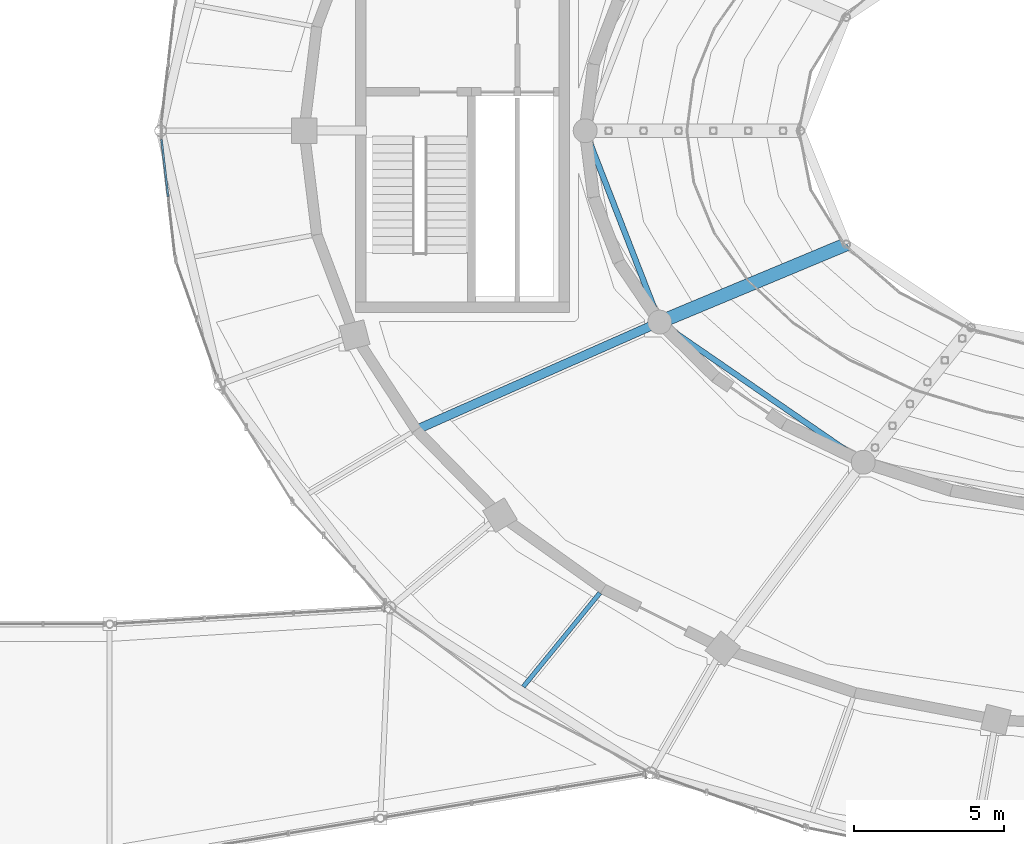
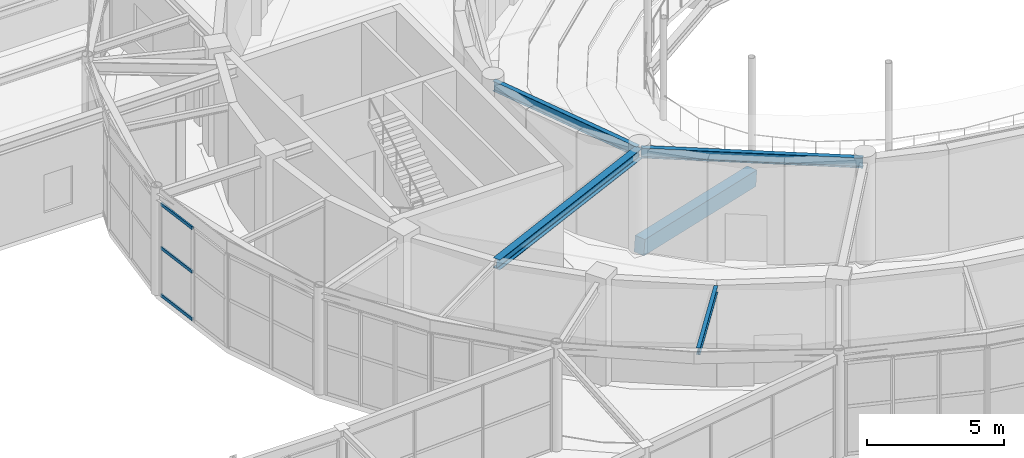
# One storey, part 27 of 100: 5 beams, 3 members, 1 element without a shape of its own.
"""IFC4 building model written with IfcOpenShell, lengths in metres."""

from ifc_helpers import new_model, si_unit, direction, frame, origin, origin_2d, place, context, subcontext, project, spatial, rectangle, hollow_rectangle, i_section, extrude, material, material_profile, profile_set, type_object, element, aggregate, save


model = new_model("IFC4")

# Units and contexts
model_context = context("Model", 3, precision=1e-05, world=origin(), true_north=direction((0.0, 1.0)))
body_context = subcontext(model_context, "Body", "Model", "MODEL_VIEW")
ifc_project = project(units=[si_unit("LENGTHUNIT", "METRE"), si_unit("AREAUNIT", "SQUARE_METRE"), si_unit("VOLUMEUNIT", "CUBIC_METRE"), si_unit("PLANEANGLEUNIT", "RADIAN"), si_unit("MASSUNIT", "GRAM", prefix="KILO")], contexts=[model_context])

# Site, building, storey
site_placement = place(None, origin())
site = spatial("IfcSite", under=ifc_project, at=site_placement, CompositionType="ELEMENT")
building_placement = place(site_placement, origin())
building = spatial("IfcBuilding", under=site, at=building_placement, Name="Tarnveldt Headland Concert Hall", CompositionType="ELEMENT")
storey_placement = place(building_placement, frame((0.0, 0.0, 4.800048828125)))
storey = spatial("IfcBuildingStorey", under=building, at=storey_placement, Name="L01", CompositionType="ELEMENT", Elevation=4.800048828125)

# Beams
ifc_material_1 = material(Name="Concrete C40/50", Category="concrete")
ifc_material_profile_1 = material_profile(ifc_material_1, rectangle(XDim=0.449951171875, YDim=0.699951171875, at=origin_2d()), Name="RAKER RC 450x700", Category="concrete")
ifc_profile_set_1 = profile_set([ifc_material_profile_1], Name="Concrete C40/50")
beam_type_1 = type_object("IfcBeamType", Name="RK-450x700", PredefinedType="BEAM", material=ifc_profile_set_1)
beam_1_placement = place(storey_placement, frame((67.391845703125, 48.10009765625, 0.119873046875), z_axis=(0.918674552277, 0.383044843665, -0.096507589027), x_axis=(-0.384841186622, 0.922982806492, 0.0)))
element("IfcBeam", 1, at=beam_1_placement, inside=storey, type_object=beam_type_1, Name="Stand RAKER beam L01-8", PredefinedType="BEAM", context=body_context, shape_type="SweptSolid", body=[
    extrude(rectangle(XDim=0.449951171875, YDim=0.699951171875, at=origin_2d()), origin(), (0.0, 0.0, 1.0), 6.787353515625),
])
ifc_material_2 = material(Name="Steel S355", Category="steel")
ifc_material_profile_2 = material_profile(ifc_material_2, i_section(OverallWidth=0.300048828125, OverallDepth=0.449951171875, WebThickness=0.013916015625, FlangeThickness=0.02587890625, FilletRadius=0.027099609375, at=origin_2d()), Name="HEB450", Category="steel")
ifc_profile_set_2 = profile_set([ifc_material_profile_2], Name="Steel S355")
beam_type_2 = type_object("IfcBeamType", Name="SB-HEB450", PredefinedType="BEAM", material=ifc_profile_set_2)
beam_2_placement = place(storey_placement, frame((67.355224609375, 48.083740234375, 4.31494140625), z_axis=(-0.91456211397, -0.404445471839, 0.0), x_axis=(0.404445471839, -0.91456211397, 0.0)))
element("IfcBeam", 2, at=beam_2_placement, inside=storey, type_object=beam_type_2, Name="Framing beam L01-746", PredefinedType="BEAM", context=body_context, shape_type="SweptSolid", body=[
    extrude(i_section(OverallWidth=0.300048828125, OverallDepth=0.449951171875, WebThickness=0.013916015625, FlangeThickness=0.02587890625, FilletRadius=0.027099609375, at=origin_2d()), origin(), (0.0, 0.0, 1.0), 8.821044921875),
])
ifc_material_profile_3 = material_profile(ifc_material_2, i_section(OverallWidth=0.14990234375, OverallDepth=0.300048828125, WebThickness=0.007080078125, FlangeThickness=0.0107421875, FilletRadius=0.014892578125, at=origin_2d()), Name="IPE300", Category="steel")
ifc_profile_set_3 = profile_set([ifc_material_profile_3], Name="Steel S355")
beam_type_3 = type_object("IfcBeamType", Name="SB-IPE300", PredefinedType="JOIST", material=ifc_profile_set_3)
beam_3_placement = place(storey_placement, frame((65.391357421875, 39.04345703125, 4.389892578125), z_axis=(-0.632291553532, -0.774730528205, 0.0), x_axis=(0.774730528205, -0.632291553532, 0.0)))
element("IfcBeam", 3, at=beam_3_placement, inside=storey, type_object=beam_type_3, Name="Framing beam L01-713", PredefinedType="JOIST", context=body_context, shape_type="SweptSolid", body=[
    extrude(i_section(OverallWidth=0.14990234375, OverallDepth=0.300048828125, WebThickness=0.007080078125, FlangeThickness=0.0107421875, FilletRadius=0.014892578125, at=origin_2d()), origin(), (0.0, 0.0, 1.0), 4.048583984375),
])
ifc_material_profile_4 = material_profile(ifc_material_2, i_section(OverallWidth=0.18994140625, OverallDepth=0.449951171875, WebThickness=0.009521484375, FlangeThickness=0.0146484375, FilletRadius=0.02099609375, at=origin_2d()), Name="IPE450", Category="steel")
ifc_profile_set_4 = profile_set([ifc_material_profile_4], Name="Steel S355")
beam_type_4 = type_object("IfcBeamType", Name="SB-IPE450", PredefinedType="BEAM", material=ifc_profile_set_4)
beam_4_placement = place(storey_placement, frame((64.921875, 54.444091796875, 4.31494140625), z_axis=(0.362816377746, -0.931860652694, 0.0), x_axis=(0.931860652694, 0.362816377746, 0.0)))
element("IfcBeam", 4, at=beam_4_placement, inside=storey, type_object=beam_type_4, Name="Framing beam L01-745", PredefinedType="BEAM", context=body_context, shape_type="SweptSolid", body=[
    extrude(i_section(OverallWidth=0.18994140625, OverallDepth=0.449951171875, WebThickness=0.009521484375, FlangeThickness=0.0146484375, FilletRadius=0.02099609375, at=origin_2d()), origin(), (0.0, 0.0, 1.0), 6.747802734375),
])
beam_5_placement = place(storey_placement, frame((67.44140625, 48.06591796875, 4.31494140625), z_axis=(0.823792567818, -0.566891352207, 0.0), x_axis=(0.566891352207, 0.823792567818, 0.0)))
element("IfcBeam", 5, at=beam_5_placement, inside=storey, type_object=beam_type_4, Name="Framing beam L01-747", PredefinedType="BEAM", context=body_context, shape_type="SweptSolid", body=[
    extrude(i_section(OverallWidth=0.18994140625, OverallDepth=0.449951171875, WebThickness=0.009521484375, FlangeThickness=0.0146484375, FilletRadius=0.02099609375, at=origin_2d()), origin(), (0.0, 0.0, 1.0), 8.144287109375),
])

# Curtain wall, members
ifc_material_3 = material(Name="Marine-anodised aluminium EN AW-6063-T6", Category="aluminium")
curtain_wall_type = type_object("IfcCurtainWallType", Name="CW-F2", PredefinedType="NOTDEFINED", material=ifc_material_3)
curtain_wall_placement = place(storey_placement, origin())
curtain_wall = element("IfcCurtainWall", 6, at=curtain_wall_placement, inside=storey, type_object=curtain_wall_type, Name="Curtain wall CW-L01-045", PredefinedType="NOTDEFINED")
ifc_material_profile_5 = material_profile(ifc_material_3, hollow_rectangle(XDim=0.06494140625, YDim=0.139892578125, WallThickness=0.00390625, at=origin_2d()), Name="ALU TRANSOM 65x140x4", Category="aluminium")
ifc_profile_set_5 = profile_set([ifc_material_profile_5], Name="Marine-anodised aluminium EN AW-6063-T6")
member_type = type_object("IfcMemberType", Name="TR-140", PredefinedType="MEMBER", material=ifc_profile_set_5)
member_1_placement = place(storey_placement, frame((50.733642578125, 54.209228515625, 0.050048828125), z_axis=(0.114907814894, -0.993376159406, 0.0), x_axis=(0.993376159406, 0.114907814894, 0.0)))
member_1 = element("IfcMember", 7, at=member_1_placement, type_object=member_type, Name="Transom CW-L01-045-1-1", PredefinedType="MEMBER", context=body_context, shape_type="SweptSolid", body=[
    extrude(hollow_rectangle(XDim=0.06494140625, YDim=0.139892578125, WallThickness=0.00390625, at=origin_2d()), origin(), (0.0, 0.0, 1.0), 1.927001953125),
])
member_2_placement = place(storey_placement, frame((50.733642578125, 54.209228515625, 2.1630859375), z_axis=(0.114907814894, -0.993376159406, 0.0), x_axis=(0.993376159406, 0.114907814894, 0.0)))
member_2 = element("IfcMember", 8, at=member_2_placement, type_object=member_type, Name="Transom CW-L01-045-1-2", PredefinedType="MEMBER", context=body_context, shape_type="SweptSolid", body=[
    extrude(hollow_rectangle(XDim=0.06494140625, YDim=0.139892578125, WallThickness=0.00390625, at=origin_2d()), origin(), (0.0, 0.0, 1.0), 1.927001953125),
])
member_3_placement = place(storey_placement, frame((50.733642578125, 54.209228515625, 4.10986328125), z_axis=(0.114907814894, -0.993376159406, 0.0), x_axis=(0.993376159406, 0.114907814894, 0.0)))
member_3 = element("IfcMember", 9, at=member_3_placement, type_object=member_type, Name="Transom CW-L01-045-1-3", PredefinedType="MEMBER", context=body_context, shape_type="SweptSolid", body=[
    extrude(hollow_rectangle(XDim=0.06494140625, YDim=0.139892578125, WallThickness=0.00390625, at=origin_2d()), origin(), (0.0, 0.0, 1.0), 1.927001953125),
])
aggregate(curtain_wall, [member_1, member_2, member_3])

save(model, "model.ifc")
